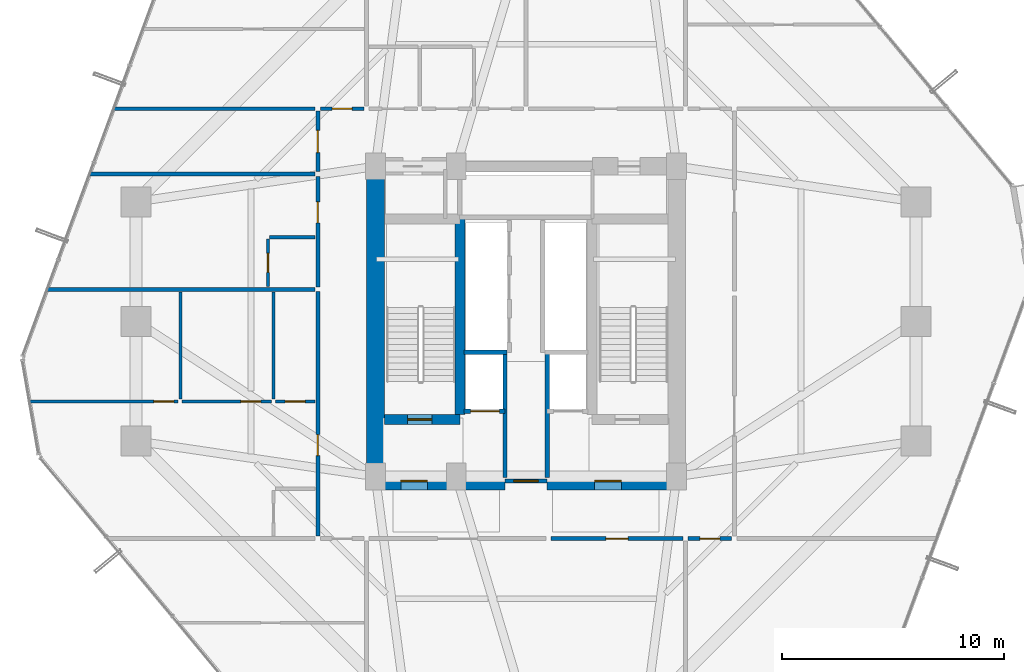
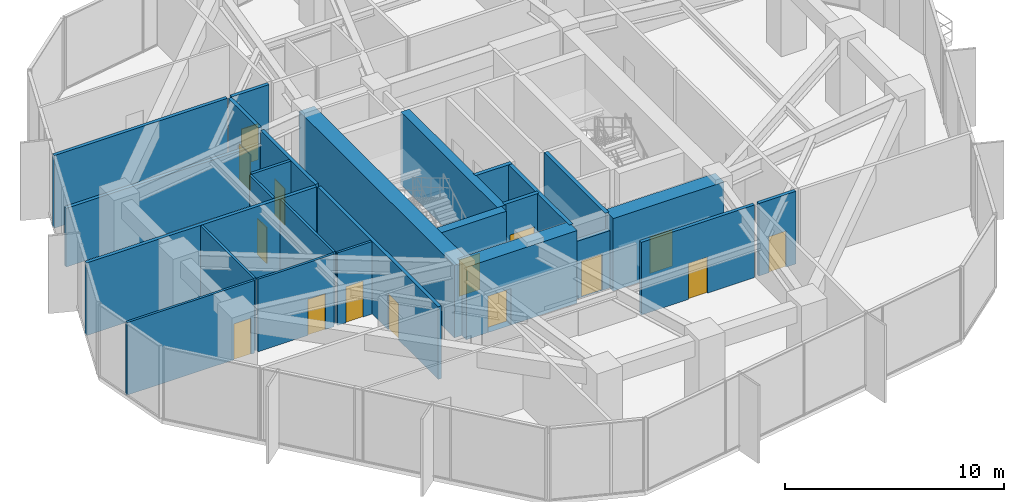
# One storey, part 31 of 35: 26 walls, 15 doors, 15 openings.
"""IFC4 building model written with IfcOpenShell, lengths in metres."""

from ifc_helpers import new_model, si_unit, direction, frame, frame_2d, origin, place, context, subcontext, project, spatial, rectangle, extrude, source, transform, mapped, material, layer, layer_set, type_object, element, fill, save


model = new_model("IFC4")

# Units and contexts
model_context = context("Model", 3, precision=1e-05, world=origin(), true_north=direction((0.0, 1.0)))
body_context = subcontext(model_context, "Body", "Model", "MODEL_VIEW")
ifc_project = project(units=[si_unit("LENGTHUNIT", "METRE"), si_unit("AREAUNIT", "SQUARE_METRE"), si_unit("VOLUMEUNIT", "CUBIC_METRE"), si_unit("PLANEANGLEUNIT", "RADIAN"), si_unit("MASSUNIT", "GRAM", prefix="KILO")], contexts=[model_context])

# Site, building, storey
site_placement = place(None, origin())
site = spatial("IfcSite", under=ifc_project, at=site_placement, CompositionType="ELEMENT")
building_placement = place(site_placement, origin())
building = spatial("IfcBuilding", under=site, at=building_placement, Name="Veraguas Prism Commons", CompositionType="ELEMENT")
storey_placement = place(building_placement, frame((0.0, 0.0, 56.550048828125)))
storey = spatial("IfcBuildingStorey", under=building, at=storey_placement, Name="L15", CompositionType="ELEMENT", Elevation=56.550048828125)

# Wall, opening, door
ifc_material_1 = material(Name="Concrete C60/75", Category="concrete")
ifc_layer_1 = layer(ifc_material_1, 0.449951171875, Name="Core Internal Shear Wall Lower RC 450", Category="concrete")
ifc_layer_set_1 = layer_set([ifc_layer_1], Name="Concrete C60/75")
wall_type_1 = type_object("IfcWallType", Name="Core Internal Shear Wall Lower RC 450", PredefinedType="SHEAR", material=ifc_layer_set_1)
wall_1_placement = place(storey_placement, frame((17.60009765625, 19.574951171875, 0.0), z_axis=(0.0, 0.0, 1.0), x_axis=(1.0, 0.0, 0.0)))
wall_1 = element("IfcWall", 1, at=wall_1_placement, inside=storey, type_object=wall_type_1, Name="Stair ST-01 South Shear Wall L15", PredefinedType="SHEAR", context=body_context, shape_type="SweptSolid", body=[
    extrude(rectangle(XDim=3.4248046875, YDim=0.449951171875, at=frame_2d((1.71240234375, 0.0))), origin(), (0.0, 0.0, 1.0), 4.050048828125),
])
opening_1_placement = place(wall_1_placement, frame((1.050048828125, 0.0, 0.0)))
opening_1 = element("IfcOpeningElement", 2, at=opening_1_placement, cuts=wall_1, Name="Opening DR-05", PredefinedType="OPENING", context=body_context, shape_type="SweptSolid", body=[
    extrude(rectangle(XDim=1.10009765625, YDim=2.030029296875, at=frame_2d((0.550048828125, 1.01513671875))), frame((0.0, 0.23486328125, 0.0), z_axis=(0.0, -1.0, 0.0), x_axis=(1.0, 0.0, 0.0)), (0.0, 0.0, 1.0), 0.469970703125),
])
ifc_material_2 = material(Name="Steel fire-rated door assembly", Category="steel")
door_type_1 = type_object("IfcDoorType", Name="Protected Stair and Refuge Fire Door 1100x2030", OperationType="NOTDEFINED", PredefinedType="DOOR", material=ifc_material_2)
shared_shape_1 = source(origin(), body_context, "Body", "SweptSolid", [
    extrude(rectangle(XDim=1.10009765625, YDim=2.030029296875, at=frame_2d((0.550048828125, 1.01513671875))), frame((0.0, 0.02490234375, 0.0), z_axis=(0.0, -1.0, 0.0), x_axis=(1.0, 0.0, 0.0)), (0.0, 0.0, 1.0), 0.050048828125),
])
door_1_placement = place(opening_1_placement, origin())
door_1 = element("IfcDoor", 3, at=door_1_placement, inside=storey, type_object=door_type_1, Name="Stair ST-01 Enclosure Door L15", OperationType="SINGLE_SWING_RIGHT", OverallHeight=2.030029296875, OverallWidth=1.10009765625, PredefinedType="DOOR", context=body_context, shape_type="MappedRepresentation", body=[
    mapped(shared_shape_1, transform((0.0, 0.0, 0.0), scale=1.0)),
])
fill(opening_1, door_1)

# Walls
wall_2_placement = place(storey_placement, frame((21.02490234375, 19.800048828125, 0.0), z_axis=(0.0, 0.0, 1.0), x_axis=(0.0, 1.0, 0.0)))
element("IfcWall", 4, at=wall_2_placement, inside=storey, type_object=wall_type_1, Name="Stair ST-01 Inner Shear Wall L15", PredefinedType="SHEAR", context=body_context, shape_type="SweptSolid", body=[
    extrude(rectangle(XDim=8.824951171875, YDim=0.449951171875, at=frame_2d((4.41259765625, 0.0))), origin(), (0.0, 0.0, 1.0), 4.050048828125),
])
ifc_layer_2 = layer(ifc_material_1, 0.800048828125, Name="Core Outer Shear Wall Lower RC 800", Category="concrete")
ifc_layer_set_2 = layer_set([ifc_layer_2], Name="Concrete C60/75")
wall_type_2 = type_object("IfcWallType", Name="Core Outer Shear Wall Lower RC 800", PredefinedType="SHEAR", material=ifc_layer_set_2)
wall_3_placement = place(storey_placement, frame((17.199951171875, 16.800048828125, 0.0), z_axis=(0.0, 0.0, 1.0), x_axis=(0.0, 1.0, 0.0)))
element("IfcWall", 5, at=wall_3_placement, inside=storey, type_object=wall_type_2, Name="Central Core West Shear Wall L15", PredefinedType="SHEAR", context=body_context, shape_type="SweptSolid", body=[
    extrude(rectangle(XDim=14.199951171875, YDim=0.800048828125, at=frame_2d((7.10009765625, 0.0))), origin(), (0.0, 0.0, 1.0), 4.050048828125),
])

# Wall, opening, door
wall_4_placement = place(storey_placement, frame((17.199951171875, 16.800048828125, 0.0), z_axis=(0.0, 0.0, 1.0), x_axis=(1.0, 0.0, 0.0)))
wall_4 = element("IfcWall", 6, at=wall_4_placement, inside=storey, type_object=wall_type_2, Name="Central Core South-West Shear Wall L15", PredefinedType="SHEAR", context=body_context, shape_type="SweptSolid", body=[
    extrude(rectangle(XDim=5.85009765625, YDim=0.800048828125, at=frame_2d((2.925048828125, 0.0))), origin(), (0.0, 0.0, 1.0), 4.050048828125),
])
opening_2_placement = place(wall_4_placement, frame((1.14990234375, 0.0, 0.0)))
opening_2 = element("IfcOpeningElement", 7, at=opening_2_placement, cuts=wall_4, Name="Opening DR-06", PredefinedType="OPENING", context=body_context, shape_type="SweptSolid", body=[
    extrude(rectangle(XDim=1.199951171875, YDim=2.030029296875, at=frame_2d((0.60009765625, 1.01513671875))), frame((0.0, 0.409912109375, 0.0), z_axis=(0.0, -1.0, 0.0), x_axis=(1.0, 0.0, 0.0)), (0.0, 0.0, 1.0), 0.820068359375),
])
door_type_2 = type_object("IfcDoorType", Name="Firefighting Lobby Smoke Door 1200x2030", OperationType="NOTDEFINED", PredefinedType="DOOR", material=ifc_material_2)
shared_shape_2 = source(origin(), body_context, "Body", "SweptSolid", [
    extrude(rectangle(XDim=1.199951171875, YDim=2.030029296875, at=frame_2d((0.60009765625, 1.01513671875))), frame((0.0, 0.02490234375, 0.0), z_axis=(0.0, -1.0, 0.0), x_axis=(1.0, 0.0, 0.0)), (0.0, 0.0, 1.0), 0.050048828125),
])
door_2_placement = place(opening_2_placement, origin())
door_2 = element("IfcDoor", 8, at=door_2_placement, inside=storey, type_object=door_type_2, Name="West FF Lobby Door L15", OperationType="SINGLE_SWING_LEFT", OverallHeight=2.030029296875, OverallWidth=1.199951171875, PredefinedType="DOOR", context=body_context, shape_type="MappedRepresentation", body=[
    mapped(shared_shape_2, transform((0.0, 0.0, 0.0), scale=1.0)),
])
fill(opening_2, door_2)

wall_5_placement = place(storey_placement, frame((24.949951171875, 16.800048828125, 0.0), z_axis=(0.0, 0.0, 1.0), x_axis=(1.0, 0.0, 0.0)))
wall_5 = element("IfcWall", 9, at=wall_5_placement, inside=storey, type_object=wall_type_2, Name="Central Core South-East Shear Wall L15", PredefinedType="SHEAR", context=body_context, shape_type="SweptSolid", body=[
    extrude(rectangle(XDim=5.85009765625, YDim=0.800048828125, at=frame_2d((2.925048828125, 0.0))), origin(), (0.0, 0.0, 1.0), 4.050048828125),
])
opening_3_placement = place(wall_5_placement, frame((2.14990234375, 0.0, 0.0)))
opening_3 = element("IfcOpeningElement", 10, at=opening_3_placement, cuts=wall_5, Name="Opening DR-06", PredefinedType="OPENING", context=body_context, shape_type="SweptSolid", body=[
    extrude(rectangle(XDim=1.199951171875, YDim=2.030029296875, at=frame_2d((0.60009765625, 1.01513671875))), frame((0.0, 0.409912109375, 0.0), z_axis=(0.0, -1.0, 0.0), x_axis=(1.0, 0.0, 0.0)), (0.0, 0.0, 1.0), 0.820068359375),
])
door_3_placement = place(opening_3_placement, origin())
door_3 = element("IfcDoor", 11, at=door_3_placement, inside=storey, type_object=door_type_2, Name="East FF Lobby Door L15", OperationType="SINGLE_SWING_LEFT", OverallHeight=2.030029296875, OverallWidth=1.199951171875, PredefinedType="DOOR", context=body_context, shape_type="MappedRepresentation", body=[
    mapped(shared_shape_2, transform((0.0, 0.0, 0.0), scale=1.0)),
])
fill(opening_3, door_3)

ifc_material_3 = material(Name="Autoclaved aerated masonry block 10 MPa", Category="masonry")
ifc_layer_3 = layer(ifc_material_3, 0.179931640625, Name="Corridor and Inter-Tenancy Partition 180", Category="masonry")
ifc_layer_set_3 = layer_set([ifc_layer_3], Name="Autoclaved aerated masonry block 10 MPa")
wall_type_3 = type_object("IfcWallType", Name="Corridor and Inter-Tenancy Partition 180", PredefinedType="PARTITIONING", material=ifc_layer_set_3)
wall_6_placement = place(storey_placement, frame((25.117919921875, 14.199951171875, 0.0), z_axis=(0.0, 0.0, 1.0), x_axis=(1.0, 0.0, 0.0)))
wall_6 = element("IfcWall", 12, at=wall_6_placement, inside=storey, type_object=wall_type_3, Name="WL-L15-PT004", PredefinedType="PARTITIONING", context=body_context, shape_type="SweptSolid", body=[
    extrude(rectangle(XDim=5.97216796875, YDim=0.179931640625, at=frame_2d((2.986083984375, 0.0))), origin(), (0.0, 0.0, 1.0), 4.050048828125),
])
opening_4_placement = place(wall_6_placement, frame((2.486083984375, 0.0, 0.0)))
opening_4 = element("IfcOpeningElement", 13, at=opening_4_placement, cuts=wall_6, Name="Opening DR-13", PredefinedType="OPENING", context=body_context, shape_type="SweptSolid", body=[
    extrude(rectangle(XDim=1.0, YDim=2.010009765625, at=frame_2d((0.5, 1.0048828125))), frame((0.0, 0.099853515625, 0.0), z_axis=(0.0, -1.0, 0.0), x_axis=(1.0, 0.0, 0.0)), (0.0, 0.0, 1.0), 0.199951171875),
])
door_type_3 = type_object("IfcDoorType", Name="Core Accessible WC and Clinic Fire Door 1000x2010", OperationType="NOTDEFINED", PredefinedType="DOOR", material=ifc_material_2)
shared_shape_3 = source(origin(), body_context, "Body", "SweptSolid", [
    extrude(rectangle(XDim=1.0, YDim=2.010009765625, at=frame_2d((0.5, 1.0048828125))), frame((0.0, 0.02490234375, 0.0), z_axis=(0.0, -1.0, 0.0), x_axis=(1.0, 0.0, 0.0)), (0.0, 0.0, 1.0), 0.050048828125),
])
door_4_placement = place(opening_4_placement, origin())
door_4 = element("IfcDoor", 14, at=door_4_placement, inside=storey, type_object=door_type_3, Name="Community Multipurpose Assembly Hall Door 2", OperationType="SINGLE_SWING_LEFT", OverallHeight=2.010009765625, OverallWidth=1.0, PredefinedType="DOOR", context=body_context, shape_type="MappedRepresentation", body=[
    mapped(shared_shape_3, transform((0.0, 0.0, 0.0), scale=1.0)),
])
fill(opening_4, door_4)

# Wall
wall_7_placement = place(storey_placement, frame((14.47998046875, 33.60009765625, 0.0), z_axis=(0.0, 0.0, 1.0), x_axis=(-1.0, 0.0, 0.0)))
element("IfcWall", 15, at=wall_7_placement, inside=storey, type_object=wall_type_3, Name="WL-L15-PT017", PredefinedType="PARTITIONING", context=body_context, shape_type="SweptSolid", body=[
    extrude(rectangle(XDim=9.12646484375, YDim=0.179931640625, at=frame_2d((4.563232421875, 0.0))), origin(), (0.0, 0.0, 1.0), 4.050048828125),
])

# Wall, opening, door
wall_8_placement = place(storey_placement, frame((14.60009765625, 14.31005859375, 0.0), z_axis=(0.0, 0.0, 1.0), x_axis=(0.0, 1.0, 0.0)))
wall_8 = element("IfcWall", 16, at=wall_8_placement, inside=storey, type_object=wall_type_3, Name="WL-L15-PT018", PredefinedType="PARTITIONING", context=body_context, shape_type="SweptSolid", body=[
    extrude(rectangle(XDim=11.031982421875, YDim=0.179931640625, at=frame_2d((5.51611328125, 0.0))), origin(), (0.0, 0.0, 1.0), 4.050048828125),
])
opening_5_placement = place(wall_8_placement, frame((3.634521484375, 0.0, 0.0)))
opening_5 = element("IfcOpeningElement", 17, at=opening_5_placement, cuts=wall_8, Name="Opening DR-01", PredefinedType="OPENING", context=body_context, shape_type="SweptSolid", body=[
    extrude(rectangle(XDim=0.949951171875, YDim=2.02001953125, at=frame_2d((0.47509765625, 1.010009765625))), frame((0.0, 0.099853515625, 0.0), z_axis=(0.0, -1.0, 0.0), x_axis=(1.0, 0.0, 0.0)), (0.0, 0.0, 1.0), 0.199951171875),
])
ifc_material_4 = material(Name="Anodised aluminium EN AW-6063 T6", Category="aluminium")
door_type_4 = type_object("IfcDoorType", Name="Apartment Entrance Fire Door 950x2020", OperationType="NOTDEFINED", PredefinedType="DOOR", material=ifc_material_4)
shared_shape_4 = source(origin(), body_context, "Body", "SweptSolid", [
    extrude(rectangle(XDim=0.949951171875, YDim=2.02001953125, at=frame_2d((0.47509765625, 1.010009765625))), frame((0.0, 0.02490234375, 0.0), z_axis=(0.0, -1.0, 0.0), x_axis=(1.0, 0.0, 0.0)), (0.0, 0.0, 1.0), 0.050048828125),
])
door_5_placement = place(opening_5_placement, origin())
door_5 = element("IfcDoor", 18, at=door_5_placement, inside=storey, type_object=door_type_4, Name="Flat 15A Entrance Door", OperationType="SINGLE_SWING_RIGHT", OverallHeight=2.02001953125, OverallWidth=0.949951171875, PredefinedType="DOOR", context=body_context, shape_type="MappedRepresentation", body=[
    mapped(shared_shape_4, transform((0.0, 0.0, 0.0), scale=1.0)),
])
fill(opening_5, door_5)

# Wall
wall_9_placement = place(storey_placement, frame((14.47998046875, 25.451904296875, 0.0), z_axis=(0.0, 0.0, 1.0), x_axis=(-1.0, 0.0, 0.0)))
element("IfcWall", 19, at=wall_9_placement, inside=storey, type_object=wall_type_3, Name="WL-L15-PT026", PredefinedType="PARTITIONING", context=body_context, shape_type="SweptSolid", body=[
    extrude(rectangle(XDim=12.12451171875, YDim=0.179931640625, at=frame_2d((6.062255859375, 0.0))), origin(), (0.0, 0.0, 1.0), 4.050048828125),
])

# Wall, opening, door
wall_10_placement = place(storey_placement, frame((14.60009765625, 30.760009765625, 0.0), z_axis=(0.0, 0.0, 1.0), x_axis=(0.0, 1.0, 0.0)))
wall_10 = element("IfcWall", 20, at=wall_10_placement, inside=storey, type_object=wall_type_3, Name="WL-L15-PT027", PredefinedType="PARTITIONING", context=body_context, shape_type="SweptSolid", body=[
    extrude(rectangle(XDim=2.72998046875, YDim=0.179931640625, at=frame_2d((1.364990234375, 0.0))), origin(), (0.0, 0.0, 1.0), 4.050048828125),
])
opening_6_placement = place(wall_10_placement, frame((0.864990234375, 0.0, 0.0)))
opening_6 = element("IfcOpeningElement", 21, at=opening_6_placement, cuts=wall_10, Name="Opening DR-13", PredefinedType="OPENING", context=body_context, shape_type="SweptSolid", body=[
    extrude(rectangle(XDim=1.0, YDim=2.010009765625, at=frame_2d((0.5, 1.0048828125))), frame((0.0, 0.099853515625, 0.0), z_axis=(0.0, -1.0, 0.0), x_axis=(1.0, 0.0, 0.0)), (0.0, 0.0, 1.0), 0.199951171875),
])
door_6_placement = place(opening_6_placement, origin())
door_6 = element("IfcDoor", 22, at=door_6_placement, inside=storey, type_object=door_type_3, Name="Quiet Study W Door", OperationType="SINGLE_SWING_LEFT", OverallHeight=2.010009765625, OverallWidth=1.0, PredefinedType="DOOR", context=body_context, shape_type="MappedRepresentation", body=[
    mapped(shared_shape_3, transform((0.0, 0.0, 0.0), scale=1.0)),
])
fill(opening_6, door_6)

# Wall
wall_11_placement = place(storey_placement, frame((14.47998046875, 30.64990234375, 0.0), z_axis=(0.0, 0.0, 1.0), x_axis=(-1.0, 0.0, 0.0)))
element("IfcWall", 23, at=wall_11_placement, inside=storey, type_object=wall_type_3, Name="WL-L15-PT028", PredefinedType="PARTITIONING", context=body_context, shape_type="SweptSolid", body=[
    extrude(rectangle(XDim=10.2119140625, YDim=0.179931640625, at=frame_2d((5.10595703125, 0.0))), origin(), (0.0, 0.0, 1.0), 3.27099609375),
])

# Wall, opening, door
wall_12_placement = place(storey_placement, frame((14.60009765625, 25.56201171875, 0.0), z_axis=(0.0, 0.0, 1.0), x_axis=(0.0, 1.0, 0.0)))
wall_12 = element("IfcWall", 24, at=wall_12_placement, inside=storey, type_object=wall_type_3, Name="WL-L15-PT029", PredefinedType="PARTITIONING", context=body_context, shape_type="SweptSolid", body=[
    extrude(rectangle(XDim=4.97802734375, YDim=0.179931640625, at=frame_2d((2.489013671875, 0.0))), origin(), (0.0, 0.0, 1.0), 4.050048828125),
])
opening_7_placement = place(wall_12_placement, frame((2.884765625, 0.0, 0.0)))
opening_7 = element("IfcOpeningElement", 25, at=opening_7_placement, cuts=wall_12, Name="Opening DR-01", PredefinedType="OPENING", context=body_context, shape_type="SweptSolid", body=[
    extrude(rectangle(XDim=0.949951171875, YDim=2.02001953125, at=frame_2d((0.47509765625, 1.010009765625))), frame((0.0, 0.099853515625, 0.0), z_axis=(0.0, -1.0, 0.0), x_axis=(1.0, 0.0, 0.0)), (0.0, 0.0, 1.0), 0.199951171875),
])
door_7_placement = place(opening_7_placement, origin())
door_7 = element("IfcDoor", 26, at=door_7_placement, inside=storey, type_object=door_type_4, Name="Studio 15B Entrance Door", OperationType="SINGLE_SWING_RIGHT", OverallHeight=2.02001953125, OverallWidth=0.949951171875, PredefinedType="DOOR", context=body_context, shape_type="MappedRepresentation", body=[
    mapped(shared_shape_4, transform((0.0, 0.0, 0.0), scale=1.0)),
])
fill(opening_7, door_7)

wall_13_placement = place(storey_placement, frame((31.320068359375, 14.199951171875, 0.0), z_axis=(0.0, 0.0, 1.0), x_axis=(1.0, 0.0, 0.0)))
wall_13 = element("IfcWall", 27, at=wall_13_placement, inside=storey, type_object=wall_type_3, Name="WL-L15-PT038", PredefinedType="PARTITIONING", context=body_context, shape_type="SweptSolid", body=[
    extrude(rectangle(XDim=1.9599609375, YDim=0.179931640625, at=frame_2d((0.97998046875, 0.0))), origin(), (0.0, 0.0, 1.0), 4.050048828125),
])
opening_8_placement = place(wall_13_placement, frame((0.530029296875, 0.0, 0.0)))
opening_8 = element("IfcOpeningElement", 28, at=opening_8_placement, cuts=wall_13, Name="Opening DR-14", PredefinedType="OPENING", context=body_context, shape_type="SweptSolid", body=[
    extrude(rectangle(XDim=0.89990234375, YDim=2.010009765625, at=frame_2d((0.449951171875, 1.0048828125))), frame((0.0, 0.099853515625, 0.0), z_axis=(0.0, -1.0, 0.0), x_axis=(1.0, 0.0, 0.0)), (0.0, 0.0, 1.0), 0.199951171875),
])
door_type_5 = type_object("IfcDoorType", Name="Core Service Room Fire Door 900x2010", OperationType="NOTDEFINED", PredefinedType="DOOR", material=ifc_material_2)
shared_shape_5 = source(origin(), body_context, "Body", "SweptSolid", [
    extrude(rectangle(XDim=0.89990234375, YDim=2.010009765625, at=frame_2d((0.449951171875, 1.0048828125))), frame((0.0, 0.02490234375, 0.0), z_axis=(0.0, -1.0, 0.0), x_axis=(1.0, 0.0, 0.0)), (0.0, 0.0, 1.0), 0.050048828125),
])
door_8_placement = place(opening_8_placement, origin())
door_8 = element("IfcDoor", 29, at=door_8_placement, inside=storey, type_object=door_type_5, Name="Residents Cycle and Pram Store SE Door", OperationType="SINGLE_SWING_RIGHT", OverallHeight=2.010009765625, OverallWidth=0.89990234375, PredefinedType="DOOR", context=body_context, shape_type="MappedRepresentation", body=[
    mapped(shared_shape_5, transform((0.0, 0.0, 0.0), scale=1.0)),
])
fill(opening_8, door_8)

wall_14_placement = place(storey_placement, frame((14.719970703125, 33.60009765625, 0.0), z_axis=(0.0, 0.0, 1.0), x_axis=(1.0, 0.0, 0.0)))
wall_14 = element("IfcWall", 30, at=wall_14_placement, inside=storey, type_object=wall_type_3, Name="WL-L15-PT039", PredefinedType="PARTITIONING", context=body_context, shape_type="SweptSolid", body=[
    extrude(rectangle(XDim=1.9599609375, YDim=0.179931640625, at=frame_2d((0.97998046875, 0.0))), origin(), (0.0, 0.0, 1.0), 4.050048828125),
])
opening_9_placement = place(wall_14_placement, frame((0.530029296875, 0.0, 0.0)))
opening_9 = element("IfcOpeningElement", 31, at=opening_9_placement, cuts=wall_14, Name="Opening DR-14", PredefinedType="OPENING", context=body_context, shape_type="SweptSolid", body=[
    extrude(rectangle(XDim=0.89990234375, YDim=2.010009765625, at=frame_2d((0.449951171875, 1.0048828125))), frame((0.0, 0.099853515625, 0.0), z_axis=(0.0, -1.0, 0.0), x_axis=(1.0, 0.0, 0.0)), (0.0, 0.0, 1.0), 0.199951171875),
])
door_9_placement = place(opening_9_placement, origin())
door_9 = element("IfcDoor", 32, at=door_9_placement, inside=storey, type_object=door_type_5, Name="Corner Study NW Door", OperationType="SINGLE_SWING_LEFT", OverallHeight=2.010009765625, OverallWidth=0.89990234375, PredefinedType="DOOR", context=body_context, shape_type="MappedRepresentation", body=[
    mapped(shared_shape_5, transform((0.0, 0.0, 0.0), scale=1.0)),
])
fill(opening_9, door_9)

ifc_material_5 = material(Name="Lightweight acoustic gypsum board")
ifc_layer_4 = layer(ifc_material_5, 0.125, Name="Internal Apartment Room Partition 125")
ifc_layer_set_4 = layer_set([ifc_layer_4], Name="Lightweight acoustic gypsum board")
wall_type_4 = type_object("IfcWallType", Name="Internal Apartment Room Partition 125", PredefinedType="PARTITIONING", material=ifc_layer_set_4)
wall_15_placement = place(storey_placement, frame((14.47998046875, 20.388916015625, 0.0), z_axis=(0.0, 0.0, 1.0), x_axis=(-1.0, 0.0, 0.0)))
wall_15 = element("IfcWall", 33, at=wall_15_placement, inside=storey, type_object=wall_type_4, Name="WL-L15-PT021", PredefinedType="PARTITIONING", context=body_context, shape_type="SweptSolid", body=[
    extrude(rectangle(XDim=1.800048828125, YDim=0.125, at=frame_2d((0.89990234375, 0.0))), origin(), (0.0, 0.0, 1.0), 4.050048828125),
])
opening_10_placement = place(wall_15_placement, frame((0.449951171875, 0.0, 0.0)))
opening_10 = element("IfcOpeningElement", 34, at=opening_10_placement, cuts=wall_15, Name="Opening DR-02", PredefinedType="OPENING", context=body_context, shape_type="SweptSolid", body=[
    extrude(rectangle(XDim=0.89990234375, YDim=2.010009765625, at=frame_2d((0.449951171875, 1.0048828125))), frame((0.0, 0.072509765625, 0.0), z_axis=(0.0, -1.0, 0.0), x_axis=(1.0, 0.0, 0.0)), (0.0, 0.0, 1.0), 0.14501953125),
])
ifc_material_6 = material(Name="Timber solid core hardwood", Category="wood")
door_type_6 = type_object("IfcDoorType", Name="Internal Habitable Room Door 900x2010", OperationType="NOTDEFINED", PredefinedType="DOOR", material=ifc_material_6)
door_10_placement = place(opening_10_placement, origin())
door_10 = element("IfcDoor", 35, at=door_10_placement, inside=storey, type_object=door_type_6, Name="Flat 15A Kitchen Door", OperationType="SINGLE_SWING_RIGHT", OverallHeight=2.010009765625, OverallWidth=0.89990234375, PredefinedType="DOOR", context=body_context, shape_type="MappedRepresentation", body=[
    mapped(shared_shape_5, transform((0.0, 0.0, 0.0), scale=1.0)),
])
fill(opening_10, door_10)

# Walls
for number, where, z_axis, x_axis, name in (
    (36, (12.60009765625, 20.489013671875, 0.0), (0.0, 0.0, 1.0), (0.0, 1.0, 0.0), "WL-L15-PT022"),
    (37, (8.39990234375, 20.489013671875, 0.0), (0.0, 0.0, 1.0), (0.0, 1.0, 0.0), "WL-L15-PT023"),
):
    element("IfcWall", number, at=place(storey_placement, frame(where, z_axis=z_axis, x_axis=x_axis)), inside=storey, type_object=wall_type_4, Name=name, PredefinedType="PARTITIONING", context=body_context, shape_type="SweptSolid", body=[
        extrude(rectangle(XDim=4.843017578125, YDim=0.125, at=frame_2d((2.42138671875, 0.0))), origin(), (0.0, 0.0, 1.0), 4.050048828125),
    ])

# Wall, opening, door
wall_16_placement = place(storey_placement, frame((12.5, 20.388916015625, 0.0), z_axis=(0.0, 0.0, 1.0), x_axis=(-1.0, 0.0, 0.0)))
wall_16 = element("IfcWall", 38, at=wall_16_placement, inside=storey, type_object=wall_type_4, Name="WL-L15-PT024", PredefinedType="PARTITIONING", context=body_context, shape_type="SweptSolid", body=[
    extrude(rectangle(XDim=4.02001953125, YDim=0.125, at=frame_2d((2.010009765625, 0.0))), origin(), (0.0, 0.0, 1.0), 4.050048828125),
])
opening_11_placement = place(wall_16_placement, frame((0.471923828125, 0.0, 0.0)))
opening_11 = element("IfcOpeningElement", 39, at=opening_11_placement, cuts=wall_16, Name="Opening DR-02", PredefinedType="OPENING", context=body_context, shape_type="SweptSolid", body=[
    extrude(rectangle(XDim=0.89990234375, YDim=2.010009765625, at=frame_2d((0.449951171875, 1.0048828125))), frame((0.0, 0.072509765625, 0.0), z_axis=(0.0, -1.0, 0.0), x_axis=(1.0, 0.0, 0.0)), (0.0, 0.0, 1.0), 0.14501953125),
])
door_11_placement = place(opening_11_placement, origin())
door_11 = element("IfcDoor", 40, at=door_11_placement, inside=storey, type_object=door_type_6, Name="Flat 15A Bedroom 1 Door", OperationType="SINGLE_SWING_LEFT", OverallHeight=2.010009765625, OverallWidth=0.89990234375, PredefinedType="DOOR", context=body_context, shape_type="MappedRepresentation", body=[
    mapped(shared_shape_5, transform((0.0, 0.0, 0.0), scale=1.0)),
])
fill(opening_11, door_11)

wall_17_placement = place(storey_placement, frame((8.300048828125, 20.388916015625, 0.0), z_axis=(0.0, 0.0, 1.0), x_axis=(-1.0, 0.0, 0.0)))
wall_17 = element("IfcWall", 41, at=wall_17_placement, inside=storey, type_object=wall_type_4, Name="WL-L15-PT025", PredefinedType="PARTITIONING", context=body_context, shape_type="SweptSolid", body=[
    extrude(rectangle(XDim=6.743896484375, YDim=0.125, at=frame_2d((3.3720703125, 0.0))), origin(), (0.0, 0.0, 1.0), 4.050048828125),
])
opening_12_placement = place(wall_17_placement, frame((0.199951171875, 0.0, 0.0)))
opening_12 = element("IfcOpeningElement", 42, at=opening_12_placement, cuts=wall_17, Name="Opening DR-02", PredefinedType="OPENING", context=body_context, shape_type="SweptSolid", body=[
    extrude(rectangle(XDim=0.89990234375, YDim=2.010009765625, at=frame_2d((0.449951171875, 1.0048828125))), frame((0.0, 0.072509765625, 0.0), z_axis=(0.0, -1.0, 0.0), x_axis=(1.0, 0.0, 0.0)), (0.0, 0.0, 1.0), 0.14501953125),
])
door_12_placement = place(opening_12_placement, origin())
door_12 = element("IfcDoor", 43, at=door_12_placement, inside=storey, type_object=door_type_6, Name="Flat 15A Bedroom 2 Door", OperationType="SINGLE_SWING_RIGHT", OverallHeight=2.010009765625, OverallWidth=0.89990234375, PredefinedType="DOOR", context=body_context, shape_type="MappedRepresentation", body=[
    mapped(shared_shape_5, transform((0.0, 0.0, 0.0), scale=1.0)),
])
fill(opening_12, door_12)

wall_18_placement = place(storey_placement, frame((12.35009765625, 25.572021484375, 0.0), z_axis=(0.0, 0.0, 1.0), x_axis=(0.0, 1.0, 0.0)))
wall_18 = element("IfcWall", 44, at=wall_18_placement, inside=storey, type_object=wall_type_4, Name="WL-L15-PT031", PredefinedType="PARTITIONING", context=body_context, shape_type="SweptSolid", body=[
    extrude(rectangle(XDim=2.14990234375, YDim=0.125, at=frame_2d((1.074951171875, 0.0))), origin(), (0.0, 0.0, 1.0), 4.050048828125),
])
opening_13_placement = place(wall_18_placement, frame((0.64501953125, 0.0, 0.0)))
opening_13 = element("IfcOpeningElement", 45, at=opening_13_placement, cuts=wall_18, Name="Opening DR-03", PredefinedType="OPENING", context=body_context, shape_type="SweptSolid", body=[
    extrude(rectangle(XDim=0.860107421875, YDim=2.010009765625, at=frame_2d((0.43017578125, 1.0048828125))), frame((0.0, 0.072509765625, 0.0), z_axis=(0.0, -1.0, 0.0), x_axis=(1.0, 0.0, 0.0)), (0.0, 0.0, 1.0), 0.14501953125),
])
ifc_material_7 = material(Name="Timber moisture-resistant leaf", Category="wood")
door_type_7 = type_object("IfcDoorType", Name="Internal Bathroom Door 860x2010", OperationType="NOTDEFINED", PredefinedType="DOOR", material=ifc_material_7)
shared_shape_6 = source(origin(), body_context, "Body", "SweptSolid", [
    extrude(rectangle(XDim=0.860107421875, YDim=2.010009765625, at=frame_2d((0.43017578125, 1.0048828125))), frame((0.0, 0.02490234375, 0.0), z_axis=(0.0, -1.0, 0.0), x_axis=(1.0, 0.0, 0.0)), (0.0, 0.0, 1.0), 0.050048828125),
])
door_13_placement = place(opening_13_placement, origin())
door_13 = element("IfcDoor", 46, at=door_13_placement, inside=storey, type_object=door_type_7, Name="Studio 15B Bathroom Door", OperationType="SINGLE_SWING_LEFT", OverallHeight=2.010009765625, OverallWidth=0.860107421875, PredefinedType="DOOR", context=body_context, shape_type="MappedRepresentation", body=[
    mapped(shared_shape_6, transform((0.0, 0.0, 0.0), scale=1.0)),
])
fill(opening_13, door_13)

ifc_layer_5 = layer(ifc_material_3, 0.199951171875, Name="Rated Shaft and Lobby Block Wall 200", Category="masonry")
ifc_layer_set_5 = layer_set([ifc_layer_5], Name="Autoclaved aerated masonry block 10 MPa")
wall_type_5 = type_object("IfcWallType", Name="Rated Shaft and Lobby Block Wall 200", PredefinedType="SOLIDWALL", material=ifc_layer_set_5)
wall_19_placement = place(storey_placement, frame((23.050048828125, 16.800048828125, 0.0), z_axis=(0.0, 0.0, 1.0), x_axis=(1.0, 0.0, 0.0)))
wall_19 = element("IfcWall", 47, at=wall_19_placement, inside=storey, type_object=wall_type_5, Name="Central Core Lobby Entrance Wall L15", PredefinedType="SOLIDWALL", context=body_context, shape_type="SweptSolid", body=[
    extrude(rectangle(XDim=1.89990234375, YDim=0.199951171875, at=frame_2d((0.949951171875, 0.0))), origin(), (0.0, 0.0, 1.0), 3.199951171875),
])
opening_14_placement = place(wall_19_placement, frame((0.39990234375, 0.0, 0.0)))
opening_14 = element("IfcOpeningElement", 48, at=opening_14_placement, cuts=wall_19, Name="Opening DR-05", PredefinedType="OPENING", context=body_context, shape_type="SweptSolid", body=[
    extrude(rectangle(XDim=1.10009765625, YDim=2.030029296875, at=frame_2d((0.550048828125, 1.01513671875))), frame((0.0, 0.10986328125, 0.0), z_axis=(0.0, -1.0, 0.0), x_axis=(1.0, 0.0, 0.0)), (0.0, 0.0, 1.0), 0.219970703125),
])
door_14_placement = place(opening_14_placement, origin())
door_14 = element("IfcDoor", 49, at=door_14_placement, inside=storey, type_object=door_type_1, Name="Central Lobby Door L15", OperationType="SINGLE_SWING_RIGHT", OverallHeight=2.030029296875, OverallWidth=1.10009765625, PredefinedType="DOOR", context=body_context, shape_type="MappedRepresentation", body=[
    mapped(shared_shape_1, transform((0.0, 0.0, 0.0), scale=1.0)),
])
fill(opening_14, door_14)

wall_20_placement = place(storey_placement, frame((21.199951171875, 19.949951171875, 0.0), z_axis=(0.0, 0.0, 1.0), x_axis=(1.0, 0.0, 0.0)))
wall_20 = element("IfcWall", 50, at=wall_20_placement, inside=storey, type_object=wall_type_5, Name="Firefighting Lift FFL-1 Front Wall L15", PredefinedType="SOLIDWALL", context=body_context, shape_type="SweptSolid", body=[
    extrude(rectangle(XDim=1.85009765625, YDim=0.199951171875, at=frame_2d((0.925048828125, 0.0))), origin(), (0.0, 0.0, 1.0), 4.050048828125),
])
opening_15_placement = place(wall_20_placement, frame((0.300048828125, 0.0, 0.0)))
opening_15 = element("IfcOpeningElement", 51, at=opening_15_placement, cuts=wall_20, Name="Opening LD-02", PredefinedType="OPENING", context=body_context, shape_type="SweptSolid", body=[
    extrude(rectangle(XDim=1.300048828125, YDim=2.25, at=frame_2d((0.64990234375, 1.125))), frame((0.0, 0.10986328125, 0.0), z_axis=(0.0, -1.0, 0.0), x_axis=(1.0, 0.0, 0.0)), (0.0, 0.0, 1.0), 0.219970703125),
])
ifc_material_8 = material(Name="Stainless steel AISI 316", Category="steel")
door_type_8 = type_object("IfcDoorType", Name="Firefighting Lift Sliding Landing Door 1300x2250", OperationType="NOTDEFINED", PredefinedType="DOOR", material=ifc_material_8)
shared_shape_7 = source(origin(), body_context, "Body", "SweptSolid", [
    extrude(rectangle(XDim=1.300048828125, YDim=2.25, at=frame_2d((0.64990234375, 1.125))), frame((0.0, 0.02490234375, 0.0), z_axis=(0.0, -1.0, 0.0), x_axis=(1.0, 0.0, 0.0)), (0.0, 0.0, 1.0), 0.050048828125),
])
door_15_placement = place(opening_15_placement, origin())
door_15 = element("IfcDoor", 52, at=door_15_placement, inside=storey, type_object=door_type_8, Name="Firefighting Lift FFL-1 Landing Door L15", OperationType="SLIDING_TO_LEFT", OverallHeight=2.25, OverallWidth=1.300048828125, PredefinedType="DOOR", context=body_context, shape_type="MappedRepresentation", body=[
    mapped(shared_shape_7, transform((0.0, 0.0, 0.0), scale=1.0)),
])
fill(opening_15, door_15)

# Walls
for number, where, z_axis, x_axis, name in (
    (53, (23.050048828125, 16.949951171875, 0.0), (0.0, 0.0, 1.0), (0.0, 1.0, 0.0), "West FF Lobby Divider Wall L15"),
    (54, (24.949951171875, 16.949951171875, 0.0), (0.0, 0.0, 1.0), (0.0, 1.0, 0.0), "East FF Lobby Divider Wall L15"),
):
    element("IfcWall", number, at=place(storey_placement, frame(where, z_axis=z_axis, x_axis=x_axis)), inside=storey, type_object=wall_type_5, Name=name, PredefinedType="SOLIDWALL", context=body_context, shape_type="SweptSolid", body=[
        extrude(rectangle(XDim=5.60009765625, YDim=0.199951171875, at=frame_2d((2.800048828125, 0.0))), origin(), (0.0, 0.0, 1.0), 4.050048828125),
    ])
wall_21_placement = place(storey_placement, frame((21.199951171875, 22.60009765625, 0.0), z_axis=(0.0, 0.0, 1.0), x_axis=(1.0, 0.0, 0.0)))
element("IfcWall", 55, at=wall_21_placement, inside=storey, type_object=wall_type_5, Name="Firefighting Lift FFL-1 Rear Wall L15", PredefinedType="SOLIDWALL", context=body_context, shape_type="SweptSolid", body=[
    extrude(rectangle(XDim=1.949951171875, YDim=0.199951171875, at=frame_2d((0.97509765625, 0.0))), origin(), (0.0, 0.0, 1.0), 4.050048828125),
])
ifc_layer_6 = layer(ifc_material_5, 0.14990234375, Name="Wet Room and Clinic Acoustic Partition 150")
ifc_layer_set_6 = layer_set([ifc_layer_6], Name="Lightweight acoustic gypsum board")
wall_type_6 = type_object("IfcWallType", Name="Wet Room and Clinic Acoustic Partition 150", PredefinedType="PARTITIONING", material=ifc_layer_set_6)
wall_22_placement = place(storey_placement, frame((14.47998046875, 27.802001953125, 0.0), z_axis=(0.0, 0.0, 1.0), x_axis=(-1.0, 0.0, 0.0)))
element("IfcWall", 56, at=wall_22_placement, inside=storey, type_object=wall_type_6, Name="WL-L15-PT030", PredefinedType="PARTITIONING", context=body_context, shape_type="SweptSolid", body=[
    extrude(rectangle(XDim=2.050048828125, YDim=0.14990234375, at=frame_2d((1.02490234375, 0.0))), origin(), (0.0, 0.0, 1.0), 4.050048828125),
])

save(model, "model.ifc")
